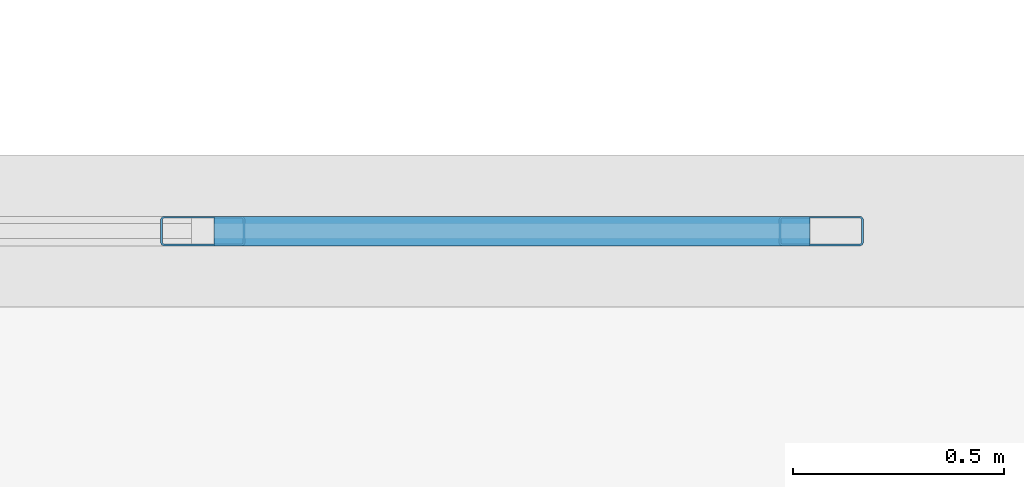
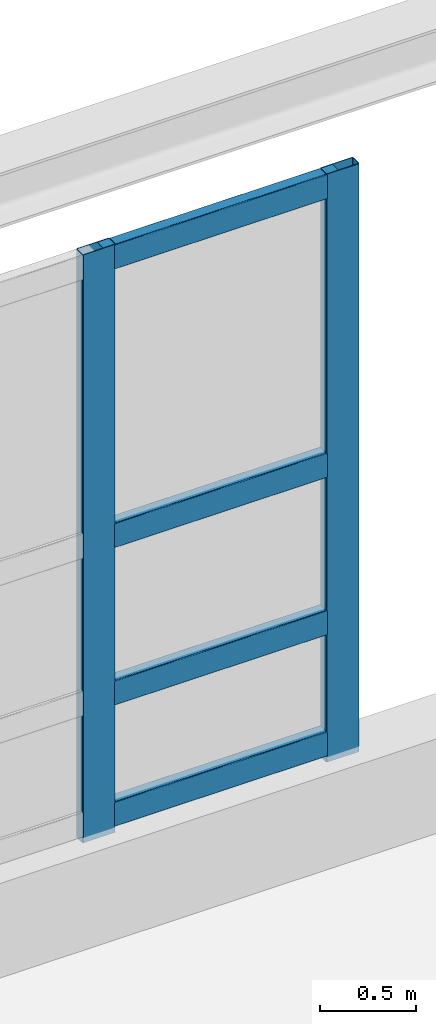
# One storey, part 90 of 197: 6 members, 1 element without a shape of its own.
"""IFC4 building model written with IfcOpenShell, lengths in metres."""

from ifc_helpers import new_model, si_unit, derived_unit, direction, frame, origin, origin_2d, place, context, subcontext, project, spatial, hollow_rectangle, extrude, material, layer, layer_set, material_profile, profile_set, type_object, element, aggregate, save


model = new_model("IFC4")

# Units and contexts
model_context = context("Model", 3, precision=1e-05, world=origin(), true_north=direction((0.0, 1.0)))
body_context = subcontext(model_context, "Body", "Model", "MODEL_VIEW")
ifc_project = project(units=[si_unit("LENGTHUNIT", "METRE"), si_unit("AREAUNIT", "SQUARE_METRE"), si_unit("VOLUMEUNIT", "CUBIC_METRE"), si_unit("PLANEANGLEUNIT", "RADIAN"), si_unit("MASSUNIT", "GRAM", prefix="KILO"), derived_unit("THERMALTRANSMITTANCEUNIT", [(si_unit("POWERUNIT", "WATT"), 1), (si_unit("LENGTHUNIT", "METRE"), -2), (si_unit("THERMODYNAMICTEMPERATUREUNIT", "KELVIN"), -1)])], contexts=[model_context])

# Site, building, storey
site_placement = place(None, origin())
site = spatial("IfcSite", under=ifc_project, at=site_placement, CompositionType="ELEMENT")
building_placement = place(site_placement, origin())
building = spatial("IfcBuilding", under=site, at=building_placement, Name="Almenara Railside Exhibition Hall", CompositionType="ELEMENT")
storey_placement = place(building_placement, frame((0.0, 0.0, 5.39990234375)))
storey = spatial("IfcBuildingStorey", under=building, at=storey_placement, Name="L01", CompositionType="ELEMENT", Elevation=5.39990234375)

# Curtain wall, members
ifc_material_1 = material(Name="Bronze-anodised aluminium and low-E double glazing", Category="aluminium")
ifc_layer = layer(ifc_material_1, 0.179931640625, Name="Bronze-anodised aluminium and low-E double glazing")
ifc_layer_set = layer_set([ifc_layer], Name="Bronze-anodised aluminium and low-E double glazing")
curtain_wall_type = type_object("IfcCurtainWallType", Name="Courtyard North Galeria Curtain Wall 3000x3700", PredefinedType="NOTDEFINED", material=ifc_layer_set)
curtain_wall_placement = place(storey_placement, origin())
curtain_wall = element("IfcCurtainWall", 1, at=curtain_wall_placement, inside=storey, type_object=curtain_wall_type, Name="Curtain wall CW-CY1-139", PredefinedType="NOTDEFINED")
ifc_material_2 = material(Name="Bronze-anodised aluminium", Category="aluminium")
ifc_material_profile_1 = material_profile(ifc_material_2, hollow_rectangle(XDim=0.070068359375, YDim=0.199951171875, WallThickness=0.00439453125, InnerFilletRadius=0.00439453125, OuterFilletRadius=0.009033203125, at=origin_2d()), Name="ALU-MUL 70x200x4.5")
ifc_profile_set_1 = profile_set([ifc_material_profile_1], Name="Bronze-anodised aluminium")
member_type_1 = type_object("IfcMemberType", Name="Curtain Wall Mullion 70x200x4.5", PredefinedType="MULLION", material=ifc_profile_set_1)
member_1_placement = place(storey_placement, frame((110.800048828125, 108.0, 0.565185546875), z_axis=(0.0, 0.0, 1.0), x_axis=(0.0, 1.0, 0.0)))
member_1 = element("IfcMember", 2, at=member_1_placement, type_object=member_type_1, Name="CW-CY1-139 mullion 2", PredefinedType="MULLION", context=body_context, shape_type="SweptSolid", body=[
    extrude(hollow_rectangle(XDim=0.070068359375, YDim=0.199951171875, WallThickness=0.00439453125, InnerFilletRadius=0.00439453125, OuterFilletRadius=0.009033203125, at=origin_2d()), origin(), (0.0, 0.0, 1.0), 3.73486328125),
])
member_2_placement = place(storey_placement, frame((112.264892578125, 108.0, 0.565185546875), z_axis=(0.0, 0.0, 1.0), x_axis=(0.0, 1.0, 0.0)))
member_2 = element("IfcMember", 3, at=member_2_placement, type_object=member_type_1, Name="CW-CY1-139 mullion 3", PredefinedType="MULLION", context=body_context, shape_type="SweptSolid", body=[
    extrude(hollow_rectangle(XDim=0.070068359375, YDim=0.199951171875, WallThickness=0.00439453125, InnerFilletRadius=0.00439453125, OuterFilletRadius=0.009033203125, at=origin_2d()), origin(), (0.0, 0.0, 1.0), 3.73486328125),
])
ifc_material_profile_2 = material_profile(ifc_material_2, hollow_rectangle(XDim=0.070068359375, YDim=0.159912109375, WallThickness=0.00390625, InnerFilletRadius=0.00390625, OuterFilletRadius=0.008056640625, at=origin_2d()), Name="ALU-TRN 70x160x4")
ifc_profile_set_2 = profile_set([ifc_material_profile_2], Name="Bronze-anodised aluminium")
member_type_2 = type_object("IfcMemberType", Name="Curtain Wall Transom 70x160x4", PredefinedType="USERDEFINED", material=ifc_profile_set_2)
member_3_placement = place(storey_placement, frame((110.826904296875, 108.0, 0.68017578125), z_axis=(1.0, 0.0, 0.0), x_axis=(0.0, 1.0, 0.0)))
member_3 = element("IfcMember", 4, at=member_3_placement, type_object=member_type_2, Name="CW-CY1-139 transom 2.1", ObjectType="TRANSOM", PredefinedType="USERDEFINED", context=body_context, shape_type="SweptSolid", body=[
    extrude(hollow_rectangle(XDim=0.070068359375, YDim=0.159912109375, WallThickness=0.00390625, InnerFilletRadius=0.00390625, OuterFilletRadius=0.008056640625, at=origin_2d()), origin(), (0.0, 0.0, 1.0), 1.4111328125),
])
member_4_placement = place(storey_placement, frame((110.826904296875, 108.0, 1.4501953125), z_axis=(1.0, 0.0, 0.0), x_axis=(0.0, 1.0, 0.0)))
member_4 = element("IfcMember", 5, at=member_4_placement, type_object=member_type_2, Name="CW-CY1-139 transom 2.2", ObjectType="TRANSOM", PredefinedType="USERDEFINED", context=body_context, shape_type="SweptSolid", body=[
    extrude(hollow_rectangle(XDim=0.070068359375, YDim=0.159912109375, WallThickness=0.00390625, InnerFilletRadius=0.00390625, OuterFilletRadius=0.008056640625, at=origin_2d()), origin(), (0.0, 0.0, 1.0), 1.4111328125),
])
member_5_placement = place(storey_placement, frame((110.826904296875, 108.0, 2.4501953125), z_axis=(1.0, 0.0, 0.0), x_axis=(0.0, 1.0, 0.0)))
member_5 = element("IfcMember", 6, at=member_5_placement, type_object=member_type_2, Name="CW-CY1-139 transom 2.3", ObjectType="TRANSOM", PredefinedType="USERDEFINED", context=body_context, shape_type="SweptSolid", body=[
    extrude(hollow_rectangle(XDim=0.070068359375, YDim=0.159912109375, WallThickness=0.00390625, InnerFilletRadius=0.00390625, OuterFilletRadius=0.008056640625, at=origin_2d()), origin(), (0.0, 0.0, 1.0), 1.4111328125),
])
member_6_placement = place(storey_placement, frame((110.826904296875, 108.0, 4.22021484375), z_axis=(1.0, 0.0, 0.0), x_axis=(0.0, 1.0, 0.0)))
member_6 = element("IfcMember", 7, at=member_6_placement, type_object=member_type_2, Name="CW-CY1-139 transom 2.4", ObjectType="TRANSOM", PredefinedType="USERDEFINED", context=body_context, shape_type="SweptSolid", body=[
    extrude(hollow_rectangle(XDim=0.070068359375, YDim=0.159912109375, WallThickness=0.00390625, InnerFilletRadius=0.00390625, OuterFilletRadius=0.008056640625, at=origin_2d()), origin(), (0.0, 0.0, 1.0), 1.4111328125),
])
aggregate(curtain_wall, [member_1, member_2, member_3, member_4, member_5, member_6])

save(model, "model.ifc")
